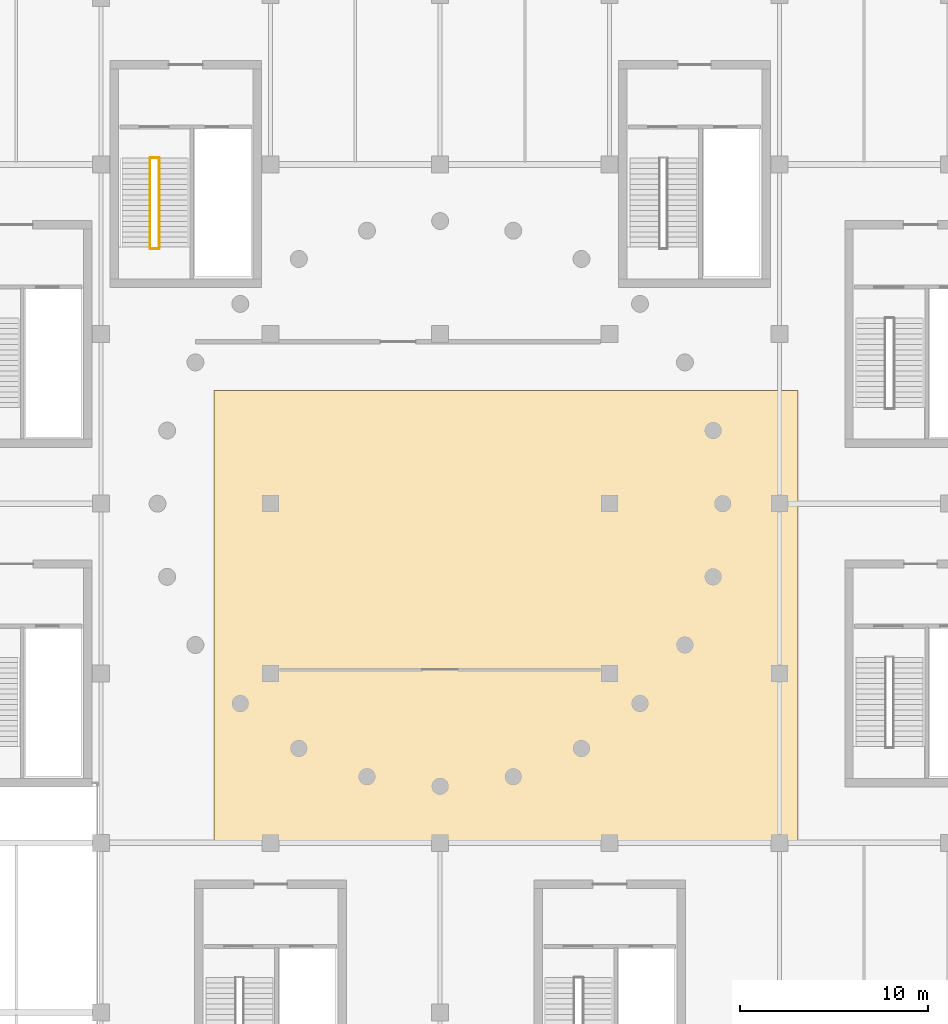
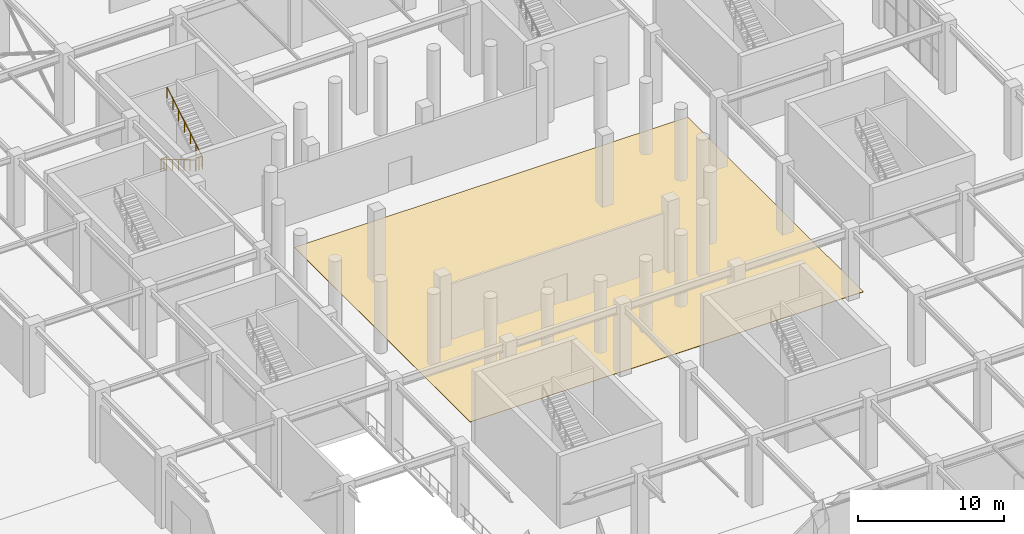
# One storey, part 84 of 91: 4 railings, 1 covering.
"""IFC4 building model written with IfcOpenShell, lengths in metres."""

import ifcopenshell
import ifcopenshell.guid

model = None  # the IFC model being written
_history = None  # IfcOwnerHistory: only IFC2X3 demands one
_inside = {}  # id of a spatial element -> (the spatial element, [elements in it])
_under = {}  # id of a project, library or spatial element -> (it, [spatial elements below it])
_declared = {}  # id of a project -> (the project, [libraries it declares])
_typed = {}  # id of a type object -> (the type object, [elements of that type])
_made_of = {}  # id of a material, layer set ... -> (it, [elements and type objects made of it])


def new_model(schema):
    """Start an empty IFC model of exactly this schema.

    Asked for "IFC4X3", IfcOpenShell would pick the latest addendum, in which some entities
    have other attributes; the version numbers below select the first issue.
    IFC2X3 requires an IfcOwnerHistory on every rooted entity: one is made here for all.
    """
    global model, _history
    if schema == "IFC4X3":
        model = ifcopenshell.file(schema_version=(4, 3, 0, 0))
    else:
        model = ifcopenshell.file(schema=schema)
    _inside.clear()
    _under.clear()
    _declared.clear()
    _typed.clear()
    _made_of.clear()
    _history = None
    if model.schema == "IFC2X3":
        org = make("IfcOrganization", Name="unknown")
        user = make(
            "IfcPersonAndOrganization",
            ThePerson=make("IfcPerson", FamilyName="unknown"),
            TheOrganization=org,
        )
        app = make(
            "IfcApplication",
            ApplicationDeveloper=org,
            Version="unknown",
            ApplicationFullName="unknown",
            ApplicationIdentifier="unknown",
        )
        _history = make(
            "IfcOwnerHistory",
            OwningUser=user,
            OwningApplication=app,
            ChangeAction="ADDED",
            CreationDate=0,
        )
    return model


def make(cls, **values):
    """One entity of the class cls with the attributes given. An attribute that is None is left unset."""
    return model.create_entity(
        cls, **{name: value for name, value in values.items() if value is not None}
    )


def rooted(cls, **values):
    """An entity with a GlobalId (a new one), such as an element, a storey or a relation."""
    return make(cls, GlobalId=ifcopenshell.guid.new(), OwnerHistory=_history, **values)


def si_unit(unit_type, name, prefix=None):
    """IfcSIUnit, for example si_unit("LENGTHUNIT", "METRE", prefix="MILLI")."""
    return make("IfcSIUnit", UnitType=unit_type, Prefix=prefix, Name=name)


def assignment(units):
    """IfcUnitAssignment: the units of a project."""
    return None if units is None else make("IfcUnitAssignment", Units=units)


def point(xyz):
    """IfcCartesianPoint."""
    return None if xyz is None else make("IfcCartesianPoint", Coordinates=xyz)


def direction(xyz):
    """IfcDirection."""
    return None if xyz is None else make("IfcDirection", DirectionRatios=xyz)


def frame(location, z_axis=None, x_axis=None):
    """IfcAxis2Placement3D, a coordinate frame: its origin and axes. An axis left out is left unset."""
    return make(
        "IfcAxis2Placement3D",
        Location=point(location),
        Axis=direction(z_axis),
        RefDirection=direction(x_axis),
    )


def frame_2d(location, x_axis=None):
    """IfcAxis2Placement2D, a coordinate frame in the plane: its origin and x axis."""
    return make(
        "IfcAxis2Placement2D", Location=point(location), RefDirection=direction(x_axis)
    )


def origin():
    """The frame at (0, 0, 0) with its axes left unset."""
    return frame((0.0, 0.0, 0.0))


def origin_2d():
    """The frame at (0, 0) in the plane with its x axis left unset."""
    return frame_2d((0.0, 0.0))


def place(relative_to, where):
    """IfcLocalPlacement: puts the frame where relative to a parent placement (None: the world)."""
    return make(
        "IfcLocalPlacement", PlacementRelTo=relative_to, RelativePlacement=where
    )


def context(
    kind, dimensions, precision=None, world=None, true_north=None, identifier=None
):
    """IfcGeometricRepresentationContext, for example the 3D "Model" context."""
    return make(
        "IfcGeometricRepresentationContext",
        ContextIdentifier=identifier,
        ContextType=kind,
        CoordinateSpaceDimension=dimensions,
        Precision=precision,
        WorldCoordinateSystem=world,
        TrueNorth=true_north,
    )


def subcontext(parent, identifier, kind, view, scale=None):
    """IfcGeometricRepresentationSubContext, for example "Body" below "Model"."""
    return make(
        "IfcGeometricRepresentationSubContext",
        ContextIdentifier=identifier,
        ContextType=kind,
        ParentContext=parent,
        TargetScale=scale,
        TargetView=view,
    )


def project(units=None, contexts=None):
    """IfcProject with its units and contexts."""
    return rooted(
        "IfcProject",
        Name="project",
        RepresentationContexts=contexts,
        UnitsInContext=assignment(units),
    )


def spatial(cls, under=None, at=None, **own):
    """A site, building, storey or space (cls), placed at a placement, below another one or the project."""
    s = rooted(cls, ObjectPlacement=at, **own)
    if under is not None:
        _under.setdefault(under.id(), (under, []))[1].append(s)
    return s


def polyline(points):
    """IfcPolyline through the points."""
    return make("IfcPolyline", Points=[point(p) for p in points])


def profile(cls, at=None, kind="AREA", **sizes):
    """A parametric profile (cls). Its sizes go by their IFC names, for example OverallWidth=200.0."""
    return make(cls, ProfileType=kind, Position=at, **sizes)


def circle(**sizes):
    """IfcCircleProfileDef."""
    return profile("IfcCircleProfileDef", **sizes)


def outline(outer, holes=None, kind="AREA"):
    """IfcArbitraryClosedProfileDef: a profile drawn as a closed curve; with holes, ...WithVoids."""
    if holes is None:
        return make("IfcArbitraryClosedProfileDef", ProfileType=kind, OuterCurve=outer)
    return make(
        "IfcArbitraryProfileDefWithVoids",
        ProfileType=kind,
        OuterCurve=outer,
        InnerCurves=holes,
    )


def extrude(swept, where, along, depth):
    """IfcExtrudedAreaSolid: the profile swept, set in the frame where, extruded along a direction by depth."""
    return make(
        "IfcExtrudedAreaSolid",
        SweptArea=swept,
        Position=where,
        ExtrudedDirection=direction(along),
        Depth=depth,
    )


def shape(context_of_items, identifier, shape_type, items):
    """IfcShapeRepresentation: the items that make up one representation, for example the "Body"."""
    return make(
        "IfcShapeRepresentation",
        ContextOfItems=context_of_items,
        RepresentationIdentifier=identifier,
        RepresentationType=shape_type,
        Items=items,
    )


def material(Name=None, Category=None):
    """IfcMaterial."""
    return make("IfcMaterial", Name=Name, Category=Category)


def layer(
    of_material, thickness, ventilated=None, Name=None, Category=None, Priority=None
):
    """IfcMaterialLayer: one layer of a wall or slab, of a material (None: an air gap)."""
    return make(
        "IfcMaterialLayer",
        Material=of_material,
        LayerThickness=thickness,
        IsVentilated=ventilated,
        Name=Name,
        Category=Category,
        Priority=Priority,
    )


def layer_set(layers, Name=None):
    """IfcMaterialLayerSet."""
    return make("IfcMaterialLayerSet", MaterialLayers=layers, LayerSetName=Name)


def made_of(thing, what):
    """Note that an element or type object is made of a material, layer set ...; save() writes the relation."""
    if what is not None:
        _made_of.setdefault(what.id(), (what, []))[1].append(thing)
    return thing


def type_object(cls, material=None, **own):
    """A type object (cls), such as IfcWallType, which elements share."""
    return made_of(rooted(cls, **own), material)


def element(
    cls,
    number,
    at=None,
    inside=None,
    cuts=None,
    type_object=None,
    material=None,
    context=None,
    identifier="Body",
    shape_type=None,
    held_by="IfcProductDefinitionShape",
    body=None,
    shapes=None,
    **own,
):
    """One element of the class cls, such as IfcWall. Its Tag is "e" and its number.

    at: its placement. inside: the storey or other place that contains it. cuts: it is an
    opening in that element (IfcRelVoidsElement). A single representation is given by context,
    identifier, shape_type and body (its items); several are given by shapes. held_by: the class
    of the entity that holds the representations. save() writes the other relations.
    """
    e = rooted(cls, Tag="e%d" % number, ObjectPlacement=at, **own)
    if body is not None:
        shapes = [shape(context, identifier, shape_type, body)]
    if shapes is not None:
        e.Representation = make(held_by, Representations=shapes)
    if inside is not None:
        _inside.setdefault(inside.id(), (inside, []))[1].append(e)
    if cuts is not None:
        rooted(
            "IfcRelVoidsElement", RelatingBuildingElement=cuts, RelatedOpeningElement=e
        )
    if type_object is not None:
        _typed.setdefault(type_object.id(), (type_object, []))[1].append(e)
    return made_of(e, material)


def aggregate(whole, parts):
    """IfcRelAggregates: a whole, such as a stair, and the parts it consists of."""
    return rooted("IfcRelAggregates", RelatingObject=whole, RelatedObjects=parts)


def save(model, path):
    """Write the relations noted so far, then the file.

    IfcRelAggregates (storeys below a building ...), IfcRelContainedInSpatialStructure (elements
    in a storey), IfcRelDefinesByType, IfcRelAssociatesMaterial and IfcRelDeclares: one each for
    every whole, place, type object, material and project.
    """
    for whole, parts in _under.values():
        aggregate(whole, parts)
    for where, things in _inside.values():
        rooted(
            "IfcRelContainedInSpatialStructure",
            RelatedElements=things,
            RelatingStructure=where,
        )
    for kind, things in _typed.values():
        rooted("IfcRelDefinesByType", RelatedObjects=things, RelatingType=kind)
    for what, things in _made_of.values():
        rooted("IfcRelAssociatesMaterial", RelatedObjects=things, RelatingMaterial=what)
    for by, libraries in _declared.values():
        rooted("IfcRelDeclares", RelatingContext=by, RelatedDefinitions=libraries)
    model.write(path)


model = new_model("IFC4")

# Units and contexts
model_context = context("Model", 3, precision=1e-05, world=origin(), true_north=direction((0.0, 1.0)))
body_context = subcontext(model_context, "Body", "Model", "MODEL_VIEW")
ifc_project = project(units=[si_unit("LENGTHUNIT", "METRE"), si_unit("AREAUNIT", "SQUARE_METRE"), si_unit("VOLUMEUNIT", "CUBIC_METRE"), si_unit("PLANEANGLEUNIT", "RADIAN"), si_unit("MASSUNIT", "GRAM", prefix="KILO")], contexts=[model_context])

# Site, building, storey
site_placement = place(None, origin())
site = spatial("IfcSite", under=ifc_project, at=site_placement, CompositionType="ELEMENT")
building_placement = place(site_placement, origin())
building = spatial("IfcBuilding", under=site, at=building_placement, Name="Dornveld Trade and Exhibition Forum", CompositionType="ELEMENT")
storey_placement = place(building_placement, origin())
storey = spatial("IfcBuildingStorey", under=building, at=storey_placement, Name="L00", CompositionType="ELEMENT", Elevation=0.0)

# Covering
ifc_material_1 = material(Name="Polished Namibian granite terrazzo flooring", Category="masonry")
ifc_layer = layer(ifc_material_1, 0.030029296875)
ifc_layer_set = layer_set([ifc_layer], Name="Polished Namibian granite terrazzo flooring")
covering_type = type_object("IfcCoveringType", Name="COV-FLR-TERR", PredefinedType="FLOORING", material=ifc_layer_set)
covering_placement = place(storey_placement, origin())
element("IfcCovering", 1, at=covering_placement, inside=storey, type_object=covering_type, Name="L00 architectural floor finish 2", PredefinedType="FLOORING", context=body_context, shape_type="SweptSolid", body=[
    extrude(outline(polyline([(105.0, 63.0), (136.0, 63.0), (136.0, 87.0), (105.0, 87.0), (105.0, 63.0)])), origin(), (0.0, 0.0, 1.0), 0.030029296875),
])

# Railings
ifc_material_2 = material(Name="Brushed stainless steel handrail", Category="steel")
railing_type_1 = type_object("IfcRailingType", Name="RL-HAND-920", PredefinedType="HANDRAIL", material=ifc_material_2)
railing_1_placement = place(storey_placement, frame((101.60498046875, 99.35009765625, 0.166748046875)))
element("IfcRailing", 2, at=railing_1_placement, inside=storey, type_object=railing_type_1, Name="ST-03-L00 flight 1 handrail", PredefinedType="HANDRAIL", context=body_context, shape_type="SweptSolid", body=[
    extrude(circle(Radius=0.02099609375, at=origin_2d()), frame((0.0, 0.0, 0.89892578125), z_axis=(0.0, -0.859299802514, 0.511472237174), x_axis=(1.0, 0.0, 0.0)), (0.0, 0.0, 1.0), 5.539306640625),
    extrude(circle(Radius=0.01806640625, at=origin_2d()), origin(), (0.0, 0.0, 1.0), 0.8779296875),
    extrude(circle(Radius=0.01806640625, at=origin_2d()), frame((0.0, -0.79345703125, 0.47216796875)), (0.0, 0.0, 1.0), 0.8779296875),
    extrude(circle(Radius=0.01806640625, at=origin_2d()), frame((0.0, -1.586669921875, 0.9443359375)), (0.0, 0.0, 1.0), 0.8779296875),
    extrude(circle(Radius=0.01806640625, at=origin_2d()), frame((0.0, -2.3798828125, 1.41650390625)), (0.0, 0.0, 1.0), 0.8779296875),
    extrude(circle(Radius=0.01806640625, at=origin_2d()), frame((0.0, -3.17333984375, 1.888916015625)), (0.0, 0.0, 1.0), 0.8779296875),
    extrude(circle(Radius=0.01806640625, at=origin_2d()), frame((0.0, -3.966796875, 2.361083984375)), (0.0, 0.0, 1.0), 0.8779296875),
    extrude(circle(Radius=0.01806640625, at=origin_2d()), frame((0.0, -4.760009765625, 2.833251953125)), (0.0, 0.0, 1.0), 0.8779296875),
])
railing_2_placement = place(storey_placement, frame((102.094970703125, 94.590087890625, 3.166748046875)))
element("IfcRailing", 3, at=railing_2_placement, inside=storey, type_object=railing_type_1, Name="ST-03-L00 flight 2 handrail", PredefinedType="HANDRAIL", context=body_context, shape_type="SweptSolid", body=[
    extrude(circle(Radius=0.02099609375, at=origin_2d()), frame((0.0, 0.0, 0.89892578125), z_axis=(0.0, 0.859299802514, 0.511472237174), x_axis=(-1.0, 0.0, 0.0)), (0.0, 0.0, 1.0), 5.539306640625),
    extrude(circle(Radius=0.01806640625, at=origin_2d()), origin(), (0.0, 0.0, 1.0), 0.8779296875),
    extrude(circle(Radius=0.01806640625, at=origin_2d()), frame((0.0, 0.79345703125, 0.47216796875)), (0.0, 0.0, 1.0), 0.8779296875),
    extrude(circle(Radius=0.01806640625, at=origin_2d()), frame((0.0, 1.586669921875, 0.9443359375)), (0.0, 0.0, 1.0), 0.8779296875),
    extrude(circle(Radius=0.01806640625, at=origin_2d()), frame((0.0, 2.3798828125, 1.41650390625)), (0.0, 0.0, 1.0), 0.8779296875),
    extrude(circle(Radius=0.01806640625, at=origin_2d()), frame((0.0, 3.17333984375, 1.888916015625)), (0.0, 0.0, 1.0), 0.8779296875),
    extrude(circle(Radius=0.01806640625, at=origin_2d()), frame((0.0, 3.966796875, 2.361083984375)), (0.0, 0.0, 1.0), 0.8779296875),
    extrude(circle(Radius=0.01806640625, at=origin_2d()), frame((0.0, 4.760009765625, 2.833251953125)), (0.0, 0.0, 1.0), 0.8779296875),
])
ifc_material_3 = material(Name="Painted steel S355J2 stair-well guard", Category="steel")
railing_type_2 = type_object("IfcRailingType", Name="RL-WELL-110", PredefinedType="GUARDRAIL", material=ifc_material_3)
railing_3_placement = place(storey_placement, frame((101.60498046875, 94.5400390625, 3.0)))
element("IfcRailing", 4, at=railing_3_placement, inside=storey, type_object=railing_type_2, Name="ST-03-L00 half-landing well guard", PredefinedType="GUARDRAIL", context=body_context, shape_type="SweptSolid", body=[
    extrude(circle(Radius=0.02392578125, at=origin_2d()), frame((0.0, 0.0, 1.076171875), z_axis=(1.0, 0.0, 0.0), x_axis=(0.0, 1.0, 0.0)), (0.0, 0.0, 1.0), 0.489990234375),
    extrude(circle(Radius=0.02001953125, at=origin_2d()), origin(), (0.0, 0.0, 1.0), 1.052001953125),
    extrude(circle(Radius=0.02001953125, at=origin_2d()), frame((0.2451171875, 0.0, 0.0)), (0.0, 0.0, 1.0), 1.052001953125),
    extrude(circle(Radius=0.02001953125, at=origin_2d()), frame((0.489990234375, 0.0, 0.0)), (0.0, 0.0, 1.0), 1.052001953125),
])
railing_4_placement = place(storey_placement, frame((101.635009765625, 99.3701171875, 0.0)))
element("IfcRailing", 5, at=railing_4_placement, inside=storey, type_object=railing_type_2, Name="CORE-03 L00 stair-slot floor guard", PredefinedType="GUARDRAIL", context=body_context, shape_type="SweptSolid", body=[
    extrude(circle(Radius=0.02392578125, at=origin_2d()), frame((0.0, 0.0, 1.076171875), z_axis=(1.0, 0.0, 0.0), x_axis=(0.0, 1.0, 0.0)), (0.0, 0.0, 1.0), 0.429931640625),
    extrude(circle(Radius=0.02001953125, at=origin_2d()), origin(), (0.0, 0.0, 1.0), 1.052001953125),
    extrude(circle(Radius=0.02001953125, at=origin_2d()), frame((0.21484375, 0.0, 0.0)), (0.0, 0.0, 1.0), 1.052001953125),
    extrude(circle(Radius=0.02001953125, at=origin_2d()), frame((0.429931640625, 0.0, 0.0)), (0.0, 0.0, 1.0), 1.052001953125),
])

save(model, "model.ifc")
